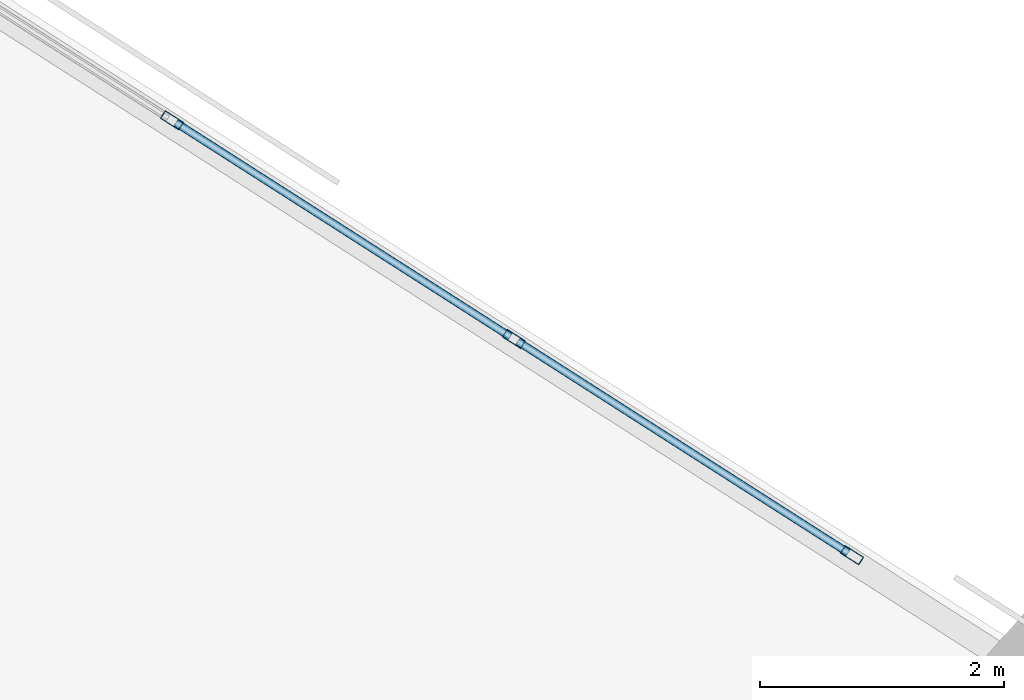
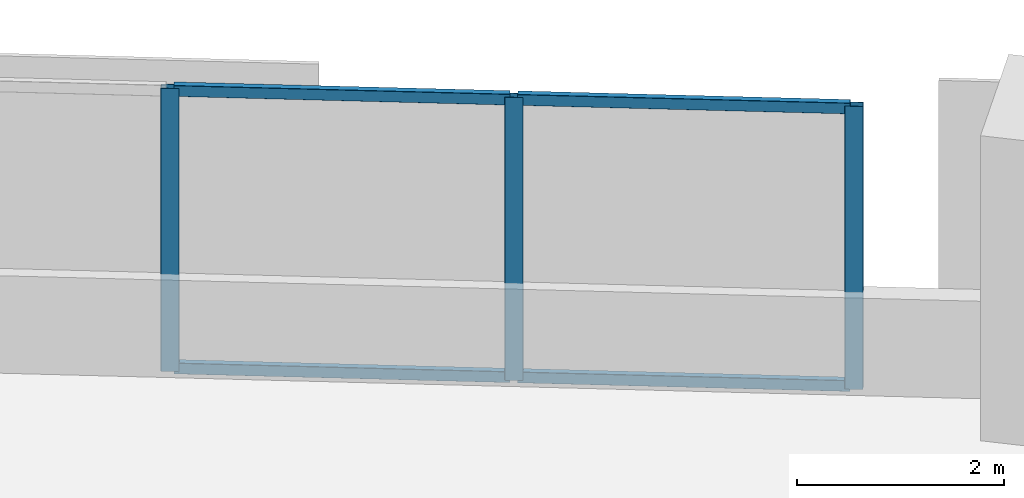
# One storey, part 9 of 15: 7 members, 1 element without a shape of its own.
"""IFC4 building model written with IfcOpenShell, lengths in metres."""

from ifc_helpers import new_model, si_unit, direction, frame, origin, origin_2d, place, context, subcontext, project, spatial, hollow_rectangle, extrude, material, material_profile, profile_set, type_object, element, aggregate, save


model = new_model("IFC4")

# Units and contexts
model_context = context("Model", 3, precision=1e-05, world=origin(), true_north=direction((0.0, 1.0)))
body_context = subcontext(model_context, "Body", "Model", "MODEL_VIEW")
ifc_project = project(units=[si_unit("LENGTHUNIT", "METRE"), si_unit("AREAUNIT", "SQUARE_METRE"), si_unit("VOLUMEUNIT", "CUBIC_METRE"), si_unit("PLANEANGLEUNIT", "RADIAN"), si_unit("MASSUNIT", "GRAM", prefix="KILO")], contexts=[model_context])

# Site, building, storey
site_placement = place(None, origin())
site = spatial("IfcSite", under=ifc_project, at=site_placement, CompositionType="ELEMENT")
building_placement = place(site_placement, origin())
building = spatial("IfcBuilding", under=site, at=building_placement, Name="Narakoshi Arena Tower", CompositionType="ELEMENT")
storey_placement = place(building_placement, frame((0.0, 0.0, 70.5)))
storey = spatial("IfcBuildingStorey", under=building, at=storey_placement, Name="L18", CompositionType="ELEMENT", Elevation=70.5)

# Curtain wall, members
ifc_material = material(Name="Anodised bronze aluminium 6063-T6", Category="aluminium")
curtain_wall_type = type_object("IfcCurtainWallType", Name="CW-HYP-LOW", PredefinedType="NOTDEFINED", material=ifc_material)
curtain_wall_placement = place(storey_placement, origin())
curtain_wall = element("IfcCurtainWall", 1, at=curtain_wall_placement, inside=storey, type_object=curtain_wall_type, Name="L18 Folded Hypotenuse Curtain Wall 2-2", PredefinedType="NOTDEFINED")
ifc_material_profile_1 = material_profile(ifc_material, hollow_rectangle(XDim=0.074951171875, YDim=0.179931640625, WallThickness=0.00390625, OuterFilletRadius=0.0048828125, at=origin_2d()), Name="MUL180x75x4")
ifc_profile_set_1 = profile_set([ifc_material_profile_1], Name="Anodised bronze aluminium 6063-T6")
member_type_1 = type_object("IfcMemberType", Name="MEM-MUL-180", PredefinedType="MULLION", material=ifc_profile_set_1)
member_1_placement = place(storey_placement, frame((83.41943359375, 66.22705078125, 0.0), z_axis=(0.0, 0.0, 1.0), x_axis=(-0.538829098714, -0.842415100992, 0.0)))
member_1 = element("IfcMember", 2, at=member_1_placement, type_object=member_type_1, Name="CW-01 mullion 1", PredefinedType="MULLION", context=body_context, shape_type="SweptSolid", body=[
    extrude(hollow_rectangle(XDim=0.074951171875, YDim=0.179931640625, WallThickness=0.00390625, OuterFilletRadius=0.0048828125, at=origin_2d()), origin(), (0.0, 0.0, 1.0), 3.340087890625),
])
member_2_placement = place(storey_placement, frame((80.6474609375, 68.000244140625, 0.0), z_axis=(0.0, 0.0, 1.0), x_axis=(-0.538829098714, -0.842415100992, 0.0)))
member_2 = element("IfcMember", 3, at=member_2_placement, type_object=member_type_1, Name="CW-01 mullion 2", PredefinedType="MULLION", context=body_context, shape_type="SweptSolid", body=[
    extrude(hollow_rectangle(XDim=0.074951171875, YDim=0.179931640625, WallThickness=0.00390625, OuterFilletRadius=0.0048828125, at=origin_2d()), origin(), (0.0, 0.0, 1.0), 3.340087890625),
])
member_3_placement = place(storey_placement, frame((77.843505859375, 69.79345703125, 0.0), z_axis=(0.0, 0.0, 1.0), x_axis=(-0.538829098714, -0.842415100992, 0.0)))
member_3 = element("IfcMember", 4, at=member_3_placement, type_object=member_type_1, Name="CW-01 mullion 3", PredefinedType="MULLION", context=body_context, shape_type="SweptSolid", body=[
    extrude(hollow_rectangle(XDim=0.074951171875, YDim=0.179931640625, WallThickness=0.00390625, OuterFilletRadius=0.0048828125, at=origin_2d()), origin(), (0.0, 0.0, 1.0), 3.340087890625),
])
ifc_material_profile_2 = material_profile(ifc_material, hollow_rectangle(XDim=0.06494140625, YDim=0.1298828125, WallThickness=0.00390625, OuterFilletRadius=0.0048828125, at=origin_2d()), Name="TRN130x65x4")
ifc_profile_set_2 = profile_set([ifc_material_profile_2], Name="Anodised bronze aluminium 6063-T6")
member_type_2 = type_object("IfcMemberType", Name="MEM-TRN-130", PredefinedType="USERDEFINED", material=ifc_profile_set_2)
member_4_placement = place(storey_placement, frame((83.387939453125, 66.247314453125, 0.032470703125), z_axis=(-0.842424416084, 0.538814535053, 0.0), x_axis=(-0.538814535053, -0.842424416084, 0.0)))
member_4 = element("IfcMember", 5, at=member_4_placement, type_object=member_type_2, Name="CW-01 transom 1.1", ObjectType="TRANSOM", PredefinedType="USERDEFINED", context=body_context, shape_type="SweptSolid", body=[
    extrude(hollow_rectangle(XDim=0.06494140625, YDim=0.1298828125, WallThickness=0.00390625, OuterFilletRadius=0.0048828125, at=origin_2d()), origin(), (0.0, 0.0, 1.0), 3.2158203125),
])
member_5_placement = place(storey_placement, frame((83.387939453125, 66.247314453125, 3.3076171875), z_axis=(-0.842424416084, 0.538814535053, 0.0), x_axis=(-0.538814535053, -0.842424416084, 0.0)))
member_5 = element("IfcMember", 6, at=member_5_placement, type_object=member_type_2, Name="CW-01 transom 1.2", ObjectType="TRANSOM", PredefinedType="USERDEFINED", context=body_context, shape_type="SweptSolid", body=[
    extrude(hollow_rectangle(XDim=0.06494140625, YDim=0.1298828125, WallThickness=0.00390625, OuterFilletRadius=0.0048828125, at=origin_2d()), origin(), (0.0, 0.0, 1.0), 3.2158203125),
])
member_6_placement = place(storey_placement, frame((80.61572265625, 68.020263671875, 0.032470703125), z_axis=(-0.842407668774, 0.5388407182, 0.0), x_axis=(-0.5388407182, -0.842407668774, 0.0)))
member_6 = element("IfcMember", 7, at=member_6_placement, type_object=member_type_2, Name="CW-01 transom 2.1", ObjectType="TRANSOM", PredefinedType="USERDEFINED", context=body_context, shape_type="SweptSolid", body=[
    extrude(hollow_rectangle(XDim=0.06494140625, YDim=0.1298828125, WallThickness=0.00390625, OuterFilletRadius=0.0048828125, at=origin_2d()), origin(), (0.0, 0.0, 1.0), 3.253173828125),
])
member_7_placement = place(storey_placement, frame((80.61572265625, 68.020263671875, 3.3076171875), z_axis=(-0.842407668774, 0.5388407182, 0.0), x_axis=(-0.5388407182, -0.842407668774, 0.0)))
member_7 = element("IfcMember", 8, at=member_7_placement, type_object=member_type_2, Name="CW-01 transom 2.2", ObjectType="TRANSOM", PredefinedType="USERDEFINED", context=body_context, shape_type="SweptSolid", body=[
    extrude(hollow_rectangle(XDim=0.06494140625, YDim=0.1298828125, WallThickness=0.00390625, OuterFilletRadius=0.0048828125, at=origin_2d()), origin(), (0.0, 0.0, 1.0), 3.253173828125),
])
aggregate(curtain_wall, [member_1, member_2, member_3, member_4, member_5, member_6, member_7])

save(model, "model.ifc")
